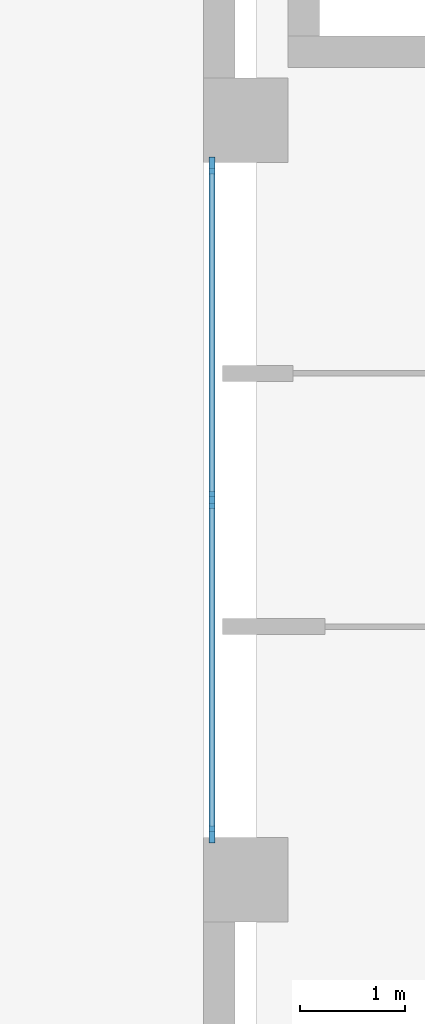
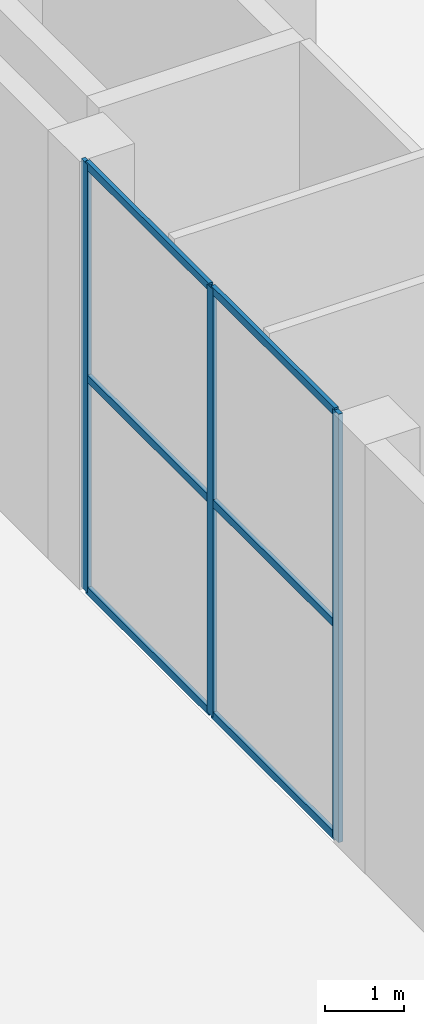
# One storey, part 9 of 44: 9 members, 1 element without a shape of its own.
"""IFC4 building model written with IfcOpenShell, lengths in metres."""

import ifcopenshell
import ifcopenshell.guid

model = None  # the IFC model being written
_history = None  # IfcOwnerHistory: only IFC2X3 demands one
_inside = {}  # id of a spatial element -> (the spatial element, [elements in it])
_under = {}  # id of a project, library or spatial element -> (it, [spatial elements below it])
_declared = {}  # id of a project -> (the project, [libraries it declares])
_typed = {}  # id of a type object -> (the type object, [elements of that type])
_made_of = {}  # id of a material, layer set ... -> (it, [elements and type objects made of it])


def new_model(schema):
    """Start an empty IFC model of exactly this schema.

    Asked for "IFC4X3", IfcOpenShell would pick the latest addendum, in which some entities
    have other attributes; the version numbers below select the first issue.
    IFC2X3 requires an IfcOwnerHistory on every rooted entity: one is made here for all.
    """
    global model, _history
    if schema == "IFC4X3":
        model = ifcopenshell.file(schema_version=(4, 3, 0, 0))
    else:
        model = ifcopenshell.file(schema=schema)
    _inside.clear()
    _under.clear()
    _declared.clear()
    _typed.clear()
    _made_of.clear()
    _history = None
    if model.schema == "IFC2X3":
        org = make("IfcOrganization", Name="unknown")
        user = make(
            "IfcPersonAndOrganization",
            ThePerson=make("IfcPerson", FamilyName="unknown"),
            TheOrganization=org,
        )
        app = make(
            "IfcApplication",
            ApplicationDeveloper=org,
            Version="unknown",
            ApplicationFullName="unknown",
            ApplicationIdentifier="unknown",
        )
        _history = make(
            "IfcOwnerHistory",
            OwningUser=user,
            OwningApplication=app,
            ChangeAction="ADDED",
            CreationDate=0,
        )
    return model


def make(cls, **values):
    """One entity of the class cls with the attributes given. An attribute that is None is left unset."""
    return model.create_entity(
        cls, **{name: value for name, value in values.items() if value is not None}
    )


def rooted(cls, **values):
    """An entity with a GlobalId (a new one), such as an element, a storey or a relation."""
    return make(cls, GlobalId=ifcopenshell.guid.new(), OwnerHistory=_history, **values)


def si_unit(unit_type, name, prefix=None):
    """IfcSIUnit, for example si_unit("LENGTHUNIT", "METRE", prefix="MILLI")."""
    return make("IfcSIUnit", UnitType=unit_type, Prefix=prefix, Name=name)


def assignment(units):
    """IfcUnitAssignment: the units of a project."""
    return None if units is None else make("IfcUnitAssignment", Units=units)


def point(xyz):
    """IfcCartesianPoint."""
    return None if xyz is None else make("IfcCartesianPoint", Coordinates=xyz)


def direction(xyz):
    """IfcDirection."""
    return None if xyz is None else make("IfcDirection", DirectionRatios=xyz)


def frame(location, z_axis=None, x_axis=None):
    """IfcAxis2Placement3D, a coordinate frame: its origin and axes. An axis left out is left unset."""
    return make(
        "IfcAxis2Placement3D",
        Location=point(location),
        Axis=direction(z_axis),
        RefDirection=direction(x_axis),
    )


def frame_2d(location, x_axis=None):
    """IfcAxis2Placement2D, a coordinate frame in the plane: its origin and x axis."""
    return make(
        "IfcAxis2Placement2D", Location=point(location), RefDirection=direction(x_axis)
    )


def origin():
    """The frame at (0, 0, 0) with its axes left unset."""
    return frame((0.0, 0.0, 0.0))


def origin_2d():
    """The frame at (0, 0) in the plane with its x axis left unset."""
    return frame_2d((0.0, 0.0))


def place(relative_to, where):
    """IfcLocalPlacement: puts the frame where relative to a parent placement (None: the world)."""
    return make(
        "IfcLocalPlacement", PlacementRelTo=relative_to, RelativePlacement=where
    )


def context(
    kind, dimensions, precision=None, world=None, true_north=None, identifier=None
):
    """IfcGeometricRepresentationContext, for example the 3D "Model" context."""
    return make(
        "IfcGeometricRepresentationContext",
        ContextIdentifier=identifier,
        ContextType=kind,
        CoordinateSpaceDimension=dimensions,
        Precision=precision,
        WorldCoordinateSystem=world,
        TrueNorth=true_north,
    )


def subcontext(parent, identifier, kind, view, scale=None):
    """IfcGeometricRepresentationSubContext, for example "Body" below "Model"."""
    return make(
        "IfcGeometricRepresentationSubContext",
        ContextIdentifier=identifier,
        ContextType=kind,
        ParentContext=parent,
        TargetScale=scale,
        TargetView=view,
    )


def project(units=None, contexts=None):
    """IfcProject with its units and contexts."""
    return rooted(
        "IfcProject",
        Name="project",
        RepresentationContexts=contexts,
        UnitsInContext=assignment(units),
    )


def spatial(cls, under=None, at=None, **own):
    """A site, building, storey or space (cls), placed at a placement, below another one or the project."""
    s = rooted(cls, ObjectPlacement=at, **own)
    if under is not None:
        _under.setdefault(under.id(), (under, []))[1].append(s)
    return s


def profile(cls, at=None, kind="AREA", **sizes):
    """A parametric profile (cls). Its sizes go by their IFC names, for example OverallWidth=200.0."""
    return make(cls, ProfileType=kind, Position=at, **sizes)


def rectangle(**sizes):
    """IfcRectangleProfileDef."""
    return profile("IfcRectangleProfileDef", **sizes)


def extrude(swept, where, along, depth):
    """IfcExtrudedAreaSolid: the profile swept, set in the frame where, extruded along a direction by depth."""
    return make(
        "IfcExtrudedAreaSolid",
        SweptArea=swept,
        Position=where,
        ExtrudedDirection=direction(along),
        Depth=depth,
    )


def shape(context_of_items, identifier, shape_type, items):
    """IfcShapeRepresentation: the items that make up one representation, for example the "Body"."""
    return make(
        "IfcShapeRepresentation",
        ContextOfItems=context_of_items,
        RepresentationIdentifier=identifier,
        RepresentationType=shape_type,
        Items=items,
    )


def material(Name=None, Category=None):
    """IfcMaterial."""
    return make("IfcMaterial", Name=Name, Category=Category)


def material_profile(
    of_material, cross_section, Name=None, Category=None, Priority=None
):
    """IfcMaterialProfile: a cross section and its material."""
    return make(
        "IfcMaterialProfile",
        Name=Name,
        Material=of_material,
        Profile=cross_section,
        Priority=Priority,
        Category=Category,
    )


def profile_set(profiles, Name=None, composite=None):
    """IfcMaterialProfileSet."""
    return make(
        "IfcMaterialProfileSet",
        Name=Name,
        MaterialProfiles=profiles,
        CompositeProfile=composite,
    )


def made_of(thing, what):
    """Note that an element or type object is made of a material, layer set ...; save() writes the relation."""
    if what is not None:
        _made_of.setdefault(what.id(), (what, []))[1].append(thing)
    return thing


def type_object(cls, material=None, **own):
    """A type object (cls), such as IfcWallType, which elements share."""
    return made_of(rooted(cls, **own), material)


def element(
    cls,
    number,
    at=None,
    inside=None,
    cuts=None,
    type_object=None,
    material=None,
    context=None,
    identifier="Body",
    shape_type=None,
    held_by="IfcProductDefinitionShape",
    body=None,
    shapes=None,
    **own,
):
    """One element of the class cls, such as IfcWall. Its Tag is "e" and its number.

    at: its placement. inside: the storey or other place that contains it. cuts: it is an
    opening in that element (IfcRelVoidsElement). A single representation is given by context,
    identifier, shape_type and body (its items); several are given by shapes. held_by: the class
    of the entity that holds the representations. save() writes the other relations.
    """
    e = rooted(cls, Tag="e%d" % number, ObjectPlacement=at, **own)
    if body is not None:
        shapes = [shape(context, identifier, shape_type, body)]
    if shapes is not None:
        e.Representation = make(held_by, Representations=shapes)
    if inside is not None:
        _inside.setdefault(inside.id(), (inside, []))[1].append(e)
    if cuts is not None:
        rooted(
            "IfcRelVoidsElement", RelatingBuildingElement=cuts, RelatedOpeningElement=e
        )
    if type_object is not None:
        _typed.setdefault(type_object.id(), (type_object, []))[1].append(e)
    return made_of(e, material)


def aggregate(whole, parts):
    """IfcRelAggregates: a whole, such as a stair, and the parts it consists of."""
    return rooted("IfcRelAggregates", RelatingObject=whole, RelatedObjects=parts)


def save(model, path):
    """Write the relations noted so far, then the file.

    IfcRelAggregates (storeys below a building ...), IfcRelContainedInSpatialStructure (elements
    in a storey), IfcRelDefinesByType, IfcRelAssociatesMaterial and IfcRelDeclares: one each for
    every whole, place, type object, material and project.
    """
    for whole, parts in _under.values():
        aggregate(whole, parts)
    for where, things in _inside.values():
        rooted(
            "IfcRelContainedInSpatialStructure",
            RelatedElements=things,
            RelatingStructure=where,
        )
    for kind, things in _typed.values():
        rooted("IfcRelDefinesByType", RelatedObjects=things, RelatingType=kind)
    for what, things in _made_of.values():
        rooted("IfcRelAssociatesMaterial", RelatedObjects=things, RelatingMaterial=what)
    for by, libraries in _declared.values():
        rooted("IfcRelDeclares", RelatingContext=by, RelatedDefinitions=libraries)
    model.write(path)


model = new_model("IFC4")

# Units and contexts
model_context = context("Model", 3, precision=1e-05, world=origin(), true_north=direction((0.0, 1.0)))
body_context = subcontext(model_context, "Body", "Model", "MODEL_VIEW")
ifc_project = project(units=[si_unit("LENGTHUNIT", "METRE"), si_unit("AREAUNIT", "SQUARE_METRE"), si_unit("VOLUMEUNIT", "CUBIC_METRE"), si_unit("PLANEANGLEUNIT", "RADIAN"), si_unit("MASSUNIT", "GRAM", prefix="KILO")], contexts=[model_context])

# Site, building, storey
site_placement = place(None, origin())
site = spatial("IfcSite", under=ifc_project, at=site_placement, CompositionType="ELEMENT")
building_placement = place(site_placement, origin())
building = spatial("IfcBuilding", under=site, at=building_placement, Name="Fustian Cross Tower", CompositionType="ELEMENT")
storey_placement = place(building_placement, origin())
storey = spatial("IfcBuildingStorey", under=building, at=storey_placement, Name="L00", CompositionType="ELEMENT", Elevation=0.0)

# Curtain wall, members
ifc_material_1 = material(Name="Glass", Category="glass")
curtain_wall_type = type_object("IfcCurtainWallType", Name="CW3 CURTAIN WALL", PredefinedType="NOTDEFINED", material=ifc_material_1)
curtain_wall_placement = place(storey_placement, origin())
curtain_wall = element("IfcCurtainWall", 1, at=curtain_wall_placement, inside=storey, type_object=curtain_wall_type, Name="Curtain wall CW3", PredefinedType="NOTDEFINED")
ifc_material_2 = material(Name="Aluminium alloy 6063", Category="aluminium")
ifc_material_profile_1 = material_profile(ifc_material_2, rectangle(XDim=0.06005859375, YDim=0.159912109375, at=origin_2d()), Name="CW3 MULLION 60x160")
ifc_profile_set_1 = profile_set([ifc_material_profile_1], Name="Aluminium alloy 6063")
member_type_1 = type_object("IfcMemberType", Name="CW3 MULLION 60x160", PredefinedType="MULLION", material=ifc_profile_set_1)
member_1_placement = place(storey_placement, frame((-50.320068359375, 35.570068359375, 0.0), z_axis=(0.0, 0.0, 1.0), x_axis=(1.0, 0.0, 0.0)))
member_1 = element("IfcMember", 2, at=member_1_placement, type_object=member_type_1, Name="CW3 mullion 1", PredefinedType="MULLION", context=body_context, shape_type="SweptSolid", body=[
    extrude(rectangle(XDim=0.06005859375, YDim=0.159912109375, at=origin_2d()), origin(), (0.0, 0.0, 1.0), 6.60009765625),
])
member_2_placement = place(storey_placement, frame((-50.320068359375, 32.39990234375, 0.0), z_axis=(0.0, 0.0, 1.0), x_axis=(1.0, 0.0, 0.0)))
member_2 = element("IfcMember", 3, at=member_2_placement, type_object=member_type_1, Name="CW3 mullion 2", PredefinedType="MULLION", context=body_context, shape_type="SweptSolid", body=[
    extrude(rectangle(XDim=0.06005859375, YDim=0.159912109375, at=origin_2d()), origin(), (0.0, 0.0, 1.0), 6.60009765625),
])
member_3_placement = place(storey_placement, frame((-50.320068359375, 29.22998046875, 0.0), z_axis=(0.0, 0.0, 1.0), x_axis=(1.0, 0.0, 0.0)))
member_3 = element("IfcMember", 4, at=member_3_placement, type_object=member_type_1, Name="CW3 mullion 3", PredefinedType="MULLION", context=body_context, shape_type="SweptSolid", body=[
    extrude(rectangle(XDim=0.06005859375, YDim=0.159912109375, at=origin_2d()), origin(), (0.0, 0.0, 1.0), 6.60009765625),
])
ifc_material_3 = material(Name="Aluminium alloy 6063", Category="aluminium")
ifc_material_profile_2 = material_profile(ifc_material_3, rectangle(XDim=0.06005859375, YDim=0.1201171875, at=origin_2d()), Name="CW3 TRANSOM 60x120")
ifc_profile_set_2 = profile_set([ifc_material_profile_2], Name="Aluminium alloy 6063")
member_type_2 = type_object("IfcMemberType", Name="CW3 TRANSOM 60x120", PredefinedType="USERDEFINED", material=ifc_profile_set_2)
member_4_placement = place(storey_placement, frame((-50.320068359375, 35.5400390625, 0.030029296875), z_axis=(0.0, -1.0, 0.0), x_axis=(1.0, 0.0, 0.0)))
member_4 = element("IfcMember", 5, at=member_4_placement, type_object=member_type_2, Name="CW3 transom 1.1", ObjectType="TRANSOM", PredefinedType="USERDEFINED", context=body_context, shape_type="SweptSolid", body=[
    extrude(rectangle(XDim=0.06005859375, YDim=0.1201171875, at=origin_2d()), origin(), (0.0, 0.0, 1.0), 3.110107421875),
])
member_5_placement = place(storey_placement, frame((-50.320068359375, 35.5400390625, 3.300048828125), z_axis=(0.0, -1.0, 0.0), x_axis=(1.0, 0.0, 0.0)))
member_5 = element("IfcMember", 6, at=member_5_placement, type_object=member_type_2, Name="CW3 transom 1.2", ObjectType="TRANSOM", PredefinedType="USERDEFINED", context=body_context, shape_type="SweptSolid", body=[
    extrude(rectangle(XDim=0.06005859375, YDim=0.1201171875, at=origin_2d()), origin(), (0.0, 0.0, 1.0), 3.110107421875),
])
member_6_placement = place(storey_placement, frame((-50.320068359375, 35.5400390625, 6.570068359375), z_axis=(0.0, -1.0, 0.0), x_axis=(1.0, 0.0, 0.0)))
member_6 = element("IfcMember", 7, at=member_6_placement, type_object=member_type_2, Name="CW3 transom 1.3", ObjectType="TRANSOM", PredefinedType="USERDEFINED", context=body_context, shape_type="SweptSolid", body=[
    extrude(rectangle(XDim=0.06005859375, YDim=0.1201171875, at=origin_2d()), origin(), (0.0, 0.0, 1.0), 3.110107421875),
])
member_7_placement = place(storey_placement, frame((-50.320068359375, 32.3701171875, 0.030029296875), z_axis=(0.0, -1.0, 0.0), x_axis=(1.0, 0.0, 0.0)))
member_7 = element("IfcMember", 8, at=member_7_placement, type_object=member_type_2, Name="CW3 transom 2.1", ObjectType="TRANSOM", PredefinedType="USERDEFINED", context=body_context, shape_type="SweptSolid", body=[
    extrude(rectangle(XDim=0.06005859375, YDim=0.1201171875, at=origin_2d()), origin(), (0.0, 0.0, 1.0), 3.110107421875),
])
member_8_placement = place(storey_placement, frame((-50.320068359375, 32.3701171875, 3.300048828125), z_axis=(0.0, -1.0, 0.0), x_axis=(1.0, 0.0, 0.0)))
member_8 = element("IfcMember", 9, at=member_8_placement, type_object=member_type_2, Name="CW3 transom 2.2", ObjectType="TRANSOM", PredefinedType="USERDEFINED", context=body_context, shape_type="SweptSolid", body=[
    extrude(rectangle(XDim=0.06005859375, YDim=0.1201171875, at=origin_2d()), origin(), (0.0, 0.0, 1.0), 3.110107421875),
])
member_9_placement = place(storey_placement, frame((-50.320068359375, 32.3701171875, 6.570068359375), z_axis=(0.0, -1.0, 0.0), x_axis=(1.0, 0.0, 0.0)))
member_9 = element("IfcMember", 10, at=member_9_placement, type_object=member_type_2, Name="CW3 transom 2.3", ObjectType="TRANSOM", PredefinedType="USERDEFINED", context=body_context, shape_type="SweptSolid", body=[
    extrude(rectangle(XDim=0.06005859375, YDim=0.1201171875, at=origin_2d()), origin(), (0.0, 0.0, 1.0), 3.110107421875),
])
aggregate(curtain_wall, [member_1, member_2, member_3, member_4, member_5, member_6, member_7, member_8, member_9])

save(model, "model.ifc")
